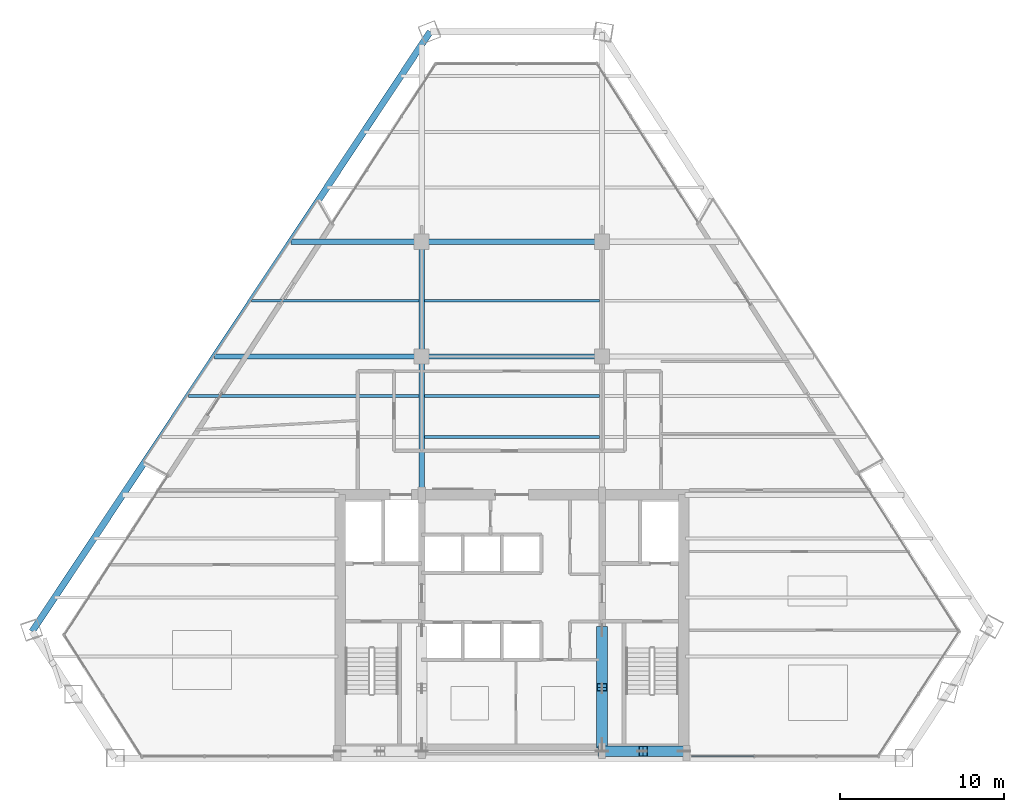
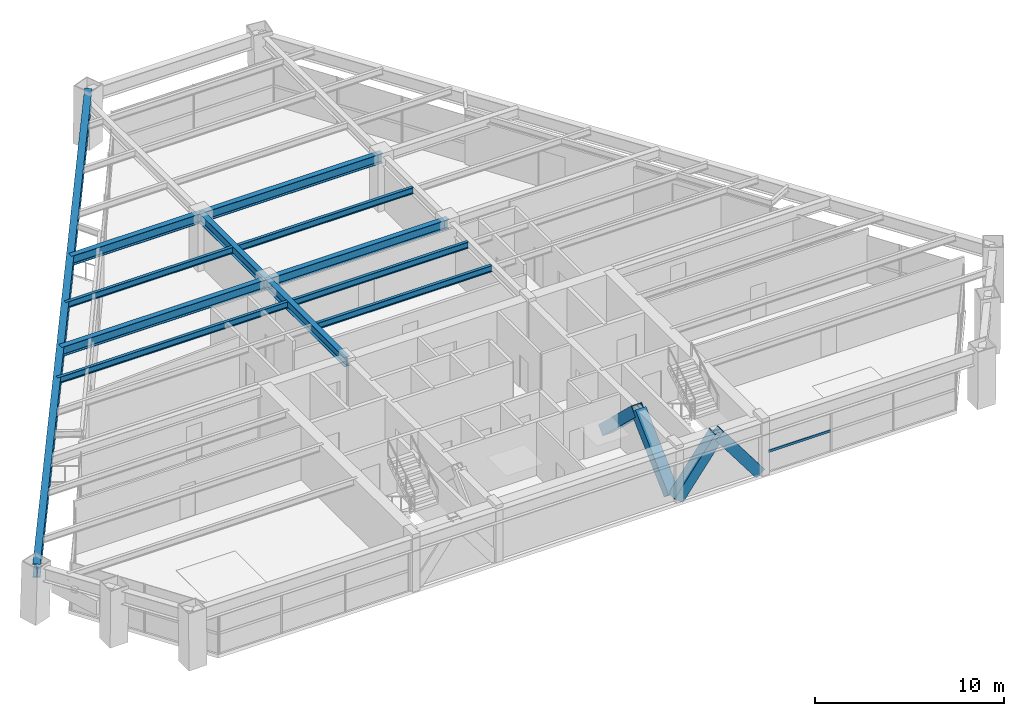
# One storey, part 5 of 15: 12 beams, 5 members, 1 element without a shape of its own.
"""IFC4 building model written with IfcOpenShell, lengths in metres."""

from ifc_helpers import new_model, si_unit, direction, frame, origin, origin_2d, place, context, subcontext, project, spatial, rectangle, hollow_rectangle, i_section, extrude, source, transform, mapped, material, material_profile, profile_set, type_object, type_shapes, element, aggregate, save


model = new_model("IFC4")

# Units and contexts
model_context = context("Model", 3, precision=1e-05, world=origin(), true_north=direction((0.0, 1.0)))
body_context = subcontext(model_context, "Body", "Model", "MODEL_VIEW")
ifc_project = project(units=[si_unit("LENGTHUNIT", "METRE"), si_unit("AREAUNIT", "SQUARE_METRE"), si_unit("VOLUMEUNIT", "CUBIC_METRE"), si_unit("PLANEANGLEUNIT", "RADIAN"), si_unit("MASSUNIT", "GRAM", prefix="KILO")], contexts=[model_context])

# Site, building, storey
site_placement = place(None, origin())
site = spatial("IfcSite", under=ifc_project, at=site_placement, CompositionType="ELEMENT")
building_placement = place(site_placement, origin())
building = spatial("IfcBuilding", under=site, at=building_placement, Name="Varnakhor Terracotta Tower", CompositionType="ELEMENT")
storey_placement = place(building_placement, frame((0.0, 0.0, 140.39990234375)))
storey = spatial("IfcBuildingStorey", under=building, at=storey_placement, Name="L35", CompositionType="ELEMENT", Elevation=140.39990234375)

# Beams
ifc_material_1 = material(Name="Steel S355", Category="steel")
ifc_material_profile_1 = material_profile(ifc_material_1, i_section(OverallWidth=0.324951171875, OverallDepth=0.615966796875, WebThickness=0.013916015625, FlangeThickness=0.02197265625, FilletRadius=0.01806640625, at=origin_2d()), Name="W24X117")
ifc_profile_set_1 = profile_set([ifc_material_profile_1], Name="Steel S355")
beam_type_1 = type_object("IfcBeamType", Name="BM-W24X117", PredefinedType="BEAM", material=ifc_profile_set_1)
shared_shape_1 = source(origin(), body_context, "Body", "SweptSolid", [
    extrude(i_section(OverallWidth=0.324951171875, OverallDepth=0.615966796875, WebThickness=0.013916015625, FlangeThickness=0.02197265625, FilletRadius=0.01806640625, at=origin_2d()), origin(), (0.0, 0.0, 1.0), 8.449951171875),
])
type_shapes(beam_type_1, [shared_shape_1])
beam_1_placement = place(storey_placement, frame((-5.5, 16.050048828125, 3.162109375), z_axis=(0.0, 1.0, 0.0), x_axis=(-1.0, 0.0, 0.0)))
element("IfcBeam", 1, at=beam_1_placement, inside=storey, type_object=beam_type_1, Name="L35 Primary Girder NS1-W", PredefinedType="BEAM", context=body_context, shape_type="MappedRepresentation", body=[
    mapped(shared_shape_1, transform((0.0, 0.0, 0.0), scale=1.0)),
])
shared_shape_2 = source(origin(), body_context, "Body", "SweptSolid", [
    extrude(i_section(OverallWidth=0.324951171875, OverallDepth=0.615966796875, WebThickness=0.013916015625, FlangeThickness=0.02197265625, FilletRadius=0.01806640625, at=origin_2d()), origin(), (0.0, 0.0, 1.0), 7.0),
])
beam_2_placement = place(storey_placement, frame((-5.5, 24.5, 3.162109375), z_axis=(0.0, 1.0, 0.0), x_axis=(-1.0, 0.0, 0.0)))
element("IfcBeam", 2, at=beam_2_placement, inside=storey, type_object=beam_type_1, Name="L35 Primary Girder NS2-W", PredefinedType="BEAM", context=body_context, shape_type="MappedRepresentation", body=[
    mapped(shared_shape_2, transform((0.0, 0.0, 0.0), scale=1.0)),
])
shared_shape_3 = source(origin(), body_context, "Body", "SweptSolid", [
    extrude(i_section(OverallWidth=0.324951171875, OverallDepth=0.615966796875, WebThickness=0.013916015625, FlangeThickness=0.02197265625, FilletRadius=0.01806640625, at=origin_2d()), origin(), (0.0, 0.0, 1.0), 11.0),
])
for number, where, z_axis, x_axis, name in (
    (3, (-5.5, 24.5, 3.162109375), (1.0, 0.0, 0.0), (0.0, 1.0, 0.0), "L35 Primary Girder EW2-2"),
    (4, (-5.5, 31.5, 3.162109375), (1.0, 0.0, 0.0), (0.0, 1.0, 0.0), "L35 Primary Girder EW3-2"),
):
    element("IfcBeam", number, at=place(storey_placement, frame(where, z_axis=z_axis, x_axis=x_axis)), inside=storey, type_object=beam_type_1, Name=name, PredefinedType="BEAM", context=body_context, shape_type="MappedRepresentation", body=[
        mapped(shared_shape_3, transform((0.0, 0.0, 0.0), scale=1.0)),
    ])
ifc_material_profile_2 = material_profile(ifc_material_1, i_section(OverallWidth=0.179931640625, OverallDepth=0.4130859375, WebThickness=0.009765625, FlangeThickness=0.01611328125, FilletRadius=0.01806640625, at=origin_2d()), Name="W16X50")
ifc_profile_set_2 = profile_set([ifc_material_profile_2], Name="Steel S355")
beam_type_2 = type_object("IfcBeamType", Name="JST-W16X50", PredefinedType="JOIST", material=ifc_profile_set_2)
shared_shape_4 = source(origin(), body_context, "Body", "SweptSolid", [
    extrude(i_section(OverallWidth=0.179931640625, OverallDepth=0.4130859375, WebThickness=0.009765625, FlangeThickness=0.01611328125, FilletRadius=0.01806640625, at=origin_2d()), origin(), (0.0, 0.0, 1.0), 10.68310546875),
])
for number, where, z_axis, x_axis, name in (
    (5, (-5.341552734375, 19.60009765625, 3.263671875), (1.0, 0.0, 0.0), (0.0, 1.0, 0.0), "L35 Composite Floor Joist 4-2"),
    (6, (-5.341552734375, 22.10009765625, 3.263671875), (1.0, 0.0, 0.0), (0.0, 1.0, 0.0), "L35 Composite Floor Joist 5-2"),
    (7, (-5.341552734375, 27.89990234375, 3.263671875), (1.0, 0.0, 0.0), (0.0, 1.0, 0.0), "L35 Composite Floor Joist 6-2"),
):
    element("IfcBeam", number, at=place(storey_placement, frame(where, z_axis=z_axis, x_axis=x_axis)), inside=storey, type_object=beam_type_2, Name=name, PredefinedType="JOIST", context=body_context, shape_type="MappedRepresentation", body=[
        mapped(shared_shape_4, transform((0.0, 0.0, 0.0), scale=1.0)),
    ])

# Members
ifc_material_2 = material(Name="Steel S460", Category="steel")
ifc_material_profile_3 = material_profile(ifc_material_2, hollow_rectangle(XDim=0.64990234375, YDim=0.64990234375, WallThickness=0.0400390625, at=origin_2d()), Name="HSS650X650X40")
ifc_profile_set_3 = profile_set([ifc_material_profile_3], Name="Steel S460")
member_type_1 = type_object("IfcMemberType", Name="MBR-MEGA-650", PredefinedType="BRACE", material=ifc_profile_set_3)
shared_shape_5 = source(origin(), body_context, "Body", "SweptSolid", [
    extrude(hollow_rectangle(XDim=0.64990234375, YDim=0.64990234375, WallThickness=0.0400390625, at=origin_2d()), origin(), (0.0, 0.0, 1.0), 4.805908203125),
])
member_1_placement = place(storey_placement, frame((5.5, 0.85009765625, 0.0), z_axis=(0.0, 0.723026776832, 0.69082000549), x_axis=(-1.0, 0.0, 0.0)))
element("IfcMember", 8, at=member_1_placement, inside=storey, type_object=member_type_1, Name="L35 Core Coupled Brace CWEA", PredefinedType="BRACE", context=body_context, shape_type="MappedRepresentation", body=[
    mapped(shared_shape_5, transform((0.0, 0.0, 0.0), scale=1.0)),
])
shared_shape_6 = source(origin(), body_context, "Body", "SweptSolid", [
    extrude(hollow_rectangle(XDim=0.64990234375, YDim=0.64990234375, WallThickness=0.0400390625, at=origin_2d()), origin(), (0.0, 0.0, 1.0), 4.156005859375),
])
for number, where, z_axis, x_axis, name in (
    (9, (5.5, 0.419921875, 0.0), (0.601530923869, 0.0, 0.798849515009), (0.0, 1.0, 0.0), "L35 Core Coupled Brace CSEA"),
    (10, (10.5, 0.419921875, 0.0), (-0.601530923869, 0.0, 0.798849515009), (0.0, -1.0, 0.0), "L35 Core Coupled Brace CSEB"),
):
    element("IfcMember", number, at=place(storey_placement, frame(where, z_axis=z_axis, x_axis=x_axis)), inside=storey, type_object=member_type_1, Name=name, PredefinedType="BRACE", context=body_context, shape_type="MappedRepresentation", body=[
        mapped(shared_shape_6, transform((0.0, 0.0, 0.0), scale=1.0)),
    ])
shared_shape_7 = source(origin(), body_context, "Body", "SweptSolid", [
    extrude(hollow_rectangle(XDim=0.64990234375, YDim=0.64990234375, WallThickness=0.0400390625, at=origin_2d()), origin(), (0.0, 0.0, 1.0), 4.80615234375),
])
member_2_placement = place(storey_placement, frame((5.5, 7.800048828125, 0.0), z_axis=(0.0, -0.723051018573, 0.690794632681), x_axis=(1.0, 0.0, 0.0)))
element("IfcMember", 11, at=member_2_placement, inside=storey, type_object=member_type_1, Name="L35 Core Coupled Brace CWEB", PredefinedType="BRACE", context=body_context, shape_type="MappedRepresentation", body=[
    mapped(shared_shape_7, transform((0.0, 0.0, 0.0), scale=1.0)),
])

# Beams
ifc_material_profile_4 = material_profile(ifc_material_1, i_section(OverallWidth=0.39990234375, OverallDepth=0.85498046875, WebThickness=0.01806640625, FlangeThickness=0.029052734375, FilletRadius=0.01806640625, at=origin_2d()), Name="W33X201")
ifc_profile_set_4 = profile_set([ifc_material_profile_4], Name="Steel S355")
beam_type_3 = type_object("IfcBeamType", Name="BM-W33X201", PredefinedType="BEAM", material=ifc_profile_set_4)
shared_shape_8 = source(origin(), body_context, "Body", "SweptSolid", [
    extrude(i_section(OverallWidth=0.39990234375, OverallDepth=0.85498046875, WebThickness=0.01806640625, FlangeThickness=0.029052734375, FilletRadius=0.01806640625, at=origin_2d()), origin(), (0.0, 0.0, 1.0), 43.91357421875),
])
beam_3_placement = place(storey_placement, frame((-4.9765625, 44.309814453125, 3.04248046875), z_axis=(-0.553033776824, -0.833158833412, 0.0), x_axis=(0.833158833412, -0.553033776824, 0.0)))
element("IfcBeam", 12, at=beam_3_placement, inside=storey, type_object=beam_type_3, Name="L35 Perimeter Spandrel 6", PredefinedType="BEAM", context=body_context, shape_type="MappedRepresentation", body=[
    mapped(shared_shape_8, transform((0.0, 0.0, 0.0), scale=1.0)),
])
shared_shape_9 = source(origin(), body_context, "Body", "SweptSolid", [
    extrude(i_section(OverallWidth=0.324951171875, OverallDepth=0.615966796875, WebThickness=0.013916015625, FlangeThickness=0.02197265625, FilletRadius=0.01806640625, at=origin_2d()), origin(), (0.0, 0.0, 1.0), 12.6259765625),
])
beam_4_placement = place(storey_placement, frame((-18.1259765625, 24.5, 3.162109375), z_axis=(1.0, 0.0, 0.0), x_axis=(0.0, 1.0, 0.0)))
element("IfcBeam", 13, at=beam_4_placement, inside=storey, type_object=beam_type_1, Name="L35 Primary Girder EW2-1", PredefinedType="BEAM", context=body_context, shape_type="MappedRepresentation", body=[
    mapped(shared_shape_9, transform((0.0, 0.0, 0.0), scale=1.0)),
])
shared_shape_10 = source(origin(), body_context, "Body", "SweptSolid", [
    extrude(i_section(OverallWidth=0.324951171875, OverallDepth=0.615966796875, WebThickness=0.013916015625, FlangeThickness=0.02197265625, FilletRadius=0.01806640625, at=origin_2d()), origin(), (0.0, 0.0, 1.0), 7.9794921875),
])
beam_5_placement = place(storey_placement, frame((-13.4794921875, 31.5, 3.162109375), z_axis=(1.0, 0.0, 0.0), x_axis=(0.0, 1.0, 0.0)))
element("IfcBeam", 14, at=beam_5_placement, inside=storey, type_object=beam_type_1, Name="L35 Primary Girder EW3-1", PredefinedType="BEAM", context=body_context, shape_type="MappedRepresentation", body=[
    mapped(shared_shape_10, transform((0.0, 0.0, 0.0), scale=1.0)),
])
shared_shape_11 = source(origin(), body_context, "Body", "SweptSolid", [
    extrude(i_section(OverallWidth=0.179931640625, OverallDepth=0.4130859375, WebThickness=0.009765625, FlangeThickness=0.01611328125, FilletRadius=0.01806640625, at=origin_2d()), origin(), (0.0, 0.0, 1.0), 14.060546875),
])
beam_6_placement = place(storey_placement, frame((-19.718994140625, 22.10009765625, 3.263671875), z_axis=(1.0, 0.0, 0.0), x_axis=(0.0, 1.0, 0.0)))
element("IfcBeam", 15, at=beam_6_placement, inside=storey, type_object=beam_type_2, Name="L35 Composite Floor Joist 5-1", PredefinedType="JOIST", context=body_context, shape_type="MappedRepresentation", body=[
    mapped(shared_shape_11, transform((0.0, 0.0, 0.0), scale=1.0)),
])
shared_shape_12 = source(origin(), body_context, "Body", "SweptSolid", [
    extrude(i_section(OverallWidth=0.179931640625, OverallDepth=0.4130859375, WebThickness=0.009765625, FlangeThickness=0.01611328125, FilletRadius=0.01806640625, at=origin_2d()), origin(), (0.0, 0.0, 1.0), 10.21044921875),
])
beam_7_placement = place(storey_placement, frame((-15.868896484375, 27.89990234375, 3.263671875), z_axis=(1.0, 0.0, 0.0), x_axis=(0.0, 1.0, 0.0)))
element("IfcBeam", 16, at=beam_7_placement, inside=storey, type_object=beam_type_2, Name="L35 Composite Floor Joist 6-1", PredefinedType="JOIST", context=body_context, shape_type="MappedRepresentation", body=[
    mapped(shared_shape_12, transform((0.0, 0.0, 0.0), scale=1.0)),
])

# Curtain wall, member
ifc_material_3 = material(Name="Anodised Aluminium Curtain Wall System", Category="aluminium")
curtain_wall_type = type_object("IfcCurtainWallType", Name="CW-SYS-MID-OFFICE", PredefinedType="NOTDEFINED", material=ifc_material_3)
curtain_wall_placement = place(storey_placement, origin())
curtain_wall = element("IfcCurtainWall", 17, at=curtain_wall_placement, inside=storey, type_object=curtain_wall_type, Name="L35 South Wing Curtain Wall SSE", PredefinedType="NOTDEFINED")
ifc_material_4 = material(Name="Anodised Aluminium 6063-T6", Category="aluminium")
ifc_material_profile_5 = material_profile(ifc_material_4, rectangle(XDim=0.070068359375, YDim=0.155029296875, at=origin_2d()), Name="ALU TRANSOM 70x155")
ifc_profile_set_5 = profile_set([ifc_material_profile_5], Name="Anodised Aluminium 6063-T6")
member_type_2 = type_object("IfcMemberType", Name="CWT-03", PredefinedType="USERDEFINED", material=ifc_profile_set_5)
shared_shape_13 = source(origin(), body_context, "Body", "SweptSolid", [
    extrude(rectangle(XDim=0.070068359375, YDim=0.155029296875, at=origin_2d()), origin(), (0.0, 0.0, 1.0), 3.802978515625),
])
member_3_placement = place(storey_placement, frame((14.77294921875, 0.1201171875, 1.281005859375), z_axis=(-1.0, 0.0, 0.0), x_axis=(0.0, -1.0, 0.0)))
member_3 = element("IfcMember", 18, at=member_3_placement, type_object=member_type_2, Name="L35 South Wing Curtain Wall SSE Transom 3", ObjectType="TRANSOM", PredefinedType="USERDEFINED", context=body_context, shape_type="MappedRepresentation", body=[
    mapped(shared_shape_13, transform((0.0, 0.0, 0.0), scale=1.0)),
])
aggregate(curtain_wall, [member_3])

save(model, "model.ifc")
